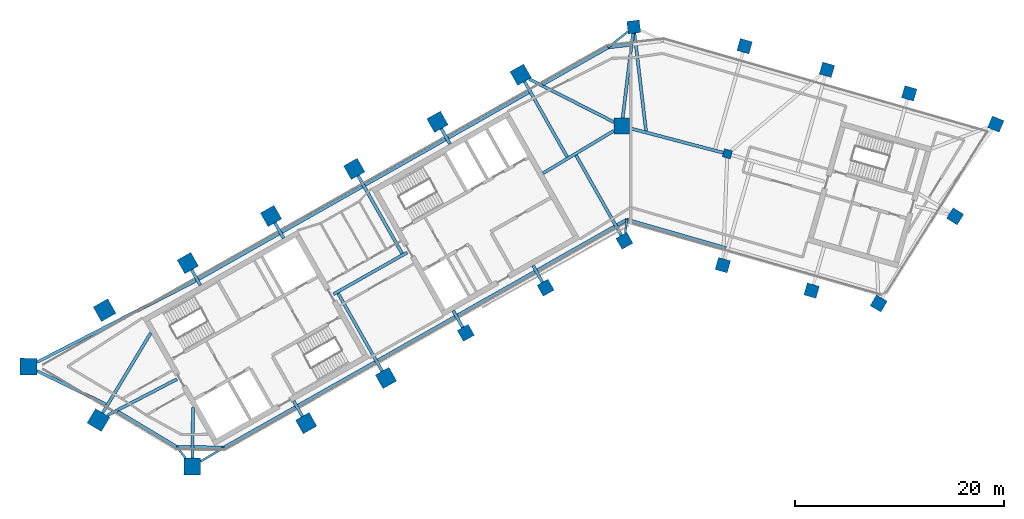
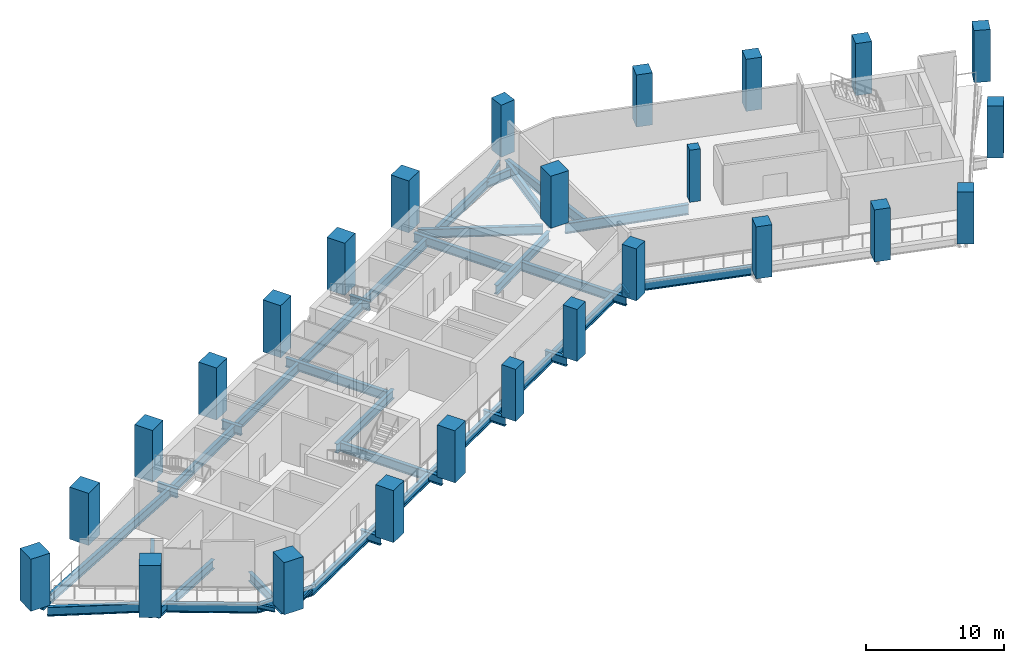
# One storey, part 1 of 8: 41 beams, 25 columns.
"""IFC4 building model written with IfcOpenShell, lengths in metres."""

from ifc_helpers import new_model, si_unit, direction, frame, origin, origin_2d, place, context, subcontext, project, spatial, rectangle, i_section, extrude, material, material_profile, profile_set, type_object, element, save


model = new_model("IFC4")

# Units and contexts
model_context = context("Model", 3, precision=1e-05, world=origin(), true_north=direction((0.0, 1.0)))
body_context = subcontext(model_context, "Body", "Model", "MODEL_VIEW")
ifc_project = project(units=[si_unit("LENGTHUNIT", "METRE"), si_unit("AREAUNIT", "SQUARE_METRE"), si_unit("VOLUMEUNIT", "CUBIC_METRE"), si_unit("PLANEANGLEUNIT", "RADIAN"), si_unit("MASSUNIT", "GRAM", prefix="KILO")], contexts=[model_context])

# Site, building, storey
site_placement = place(None, origin())
site = spatial("IfcSite", under=ifc_project, at=site_placement, CompositionType="ELEMENT")
building_placement = place(site_placement, origin())
building = spatial("IfcBuilding", under=site, at=building_placement, Name="Binnacle Exchange Tower", CompositionType="ELEMENT")
storey_placement = place(building_placement, frame((0.0, 0.0, 202.89990234375)))
storey = spatial("IfcBuildingStorey", under=building, at=storey_placement, Name="L44", CompositionType="ELEMENT", Elevation=202.89990234375)

# Columns
ifc_material_1 = material(Name="Concrete C60/75", Category="concrete")
ifc_material_profile_1 = material_profile(ifc_material_1, rectangle(XDim=0.800048828125, YDim=0.800048828125, at=origin_2d()), Name="Column 800x800 C60/75")
ifc_profile_set_1 = profile_set([ifc_material_profile_1], Name="Concrete C60/75")
column_type_1 = type_object("IfcColumnType", Name="Column 800x800 C60/75", PredefinedType="COLUMN", material=ifc_profile_set_1)
column_placement = place(storey_placement, frame((9.240966796875, 57.35009765625, 0.0), z_axis=(0.0, 0.0, 1.0), x_axis=(0.961261695938, -0.275637355817, 0.0)))
element("IfcColumn", 1, at=column_placement, inside=storey, type_object=column_type_1, Name="S:COL:C19:L44", PredefinedType="COLUMN", context=body_context, shape_type="SweptSolid", body=[
    extrude(rectangle(XDim=0.800048828125, YDim=0.800048828125, at=origin_2d()), origin(), (0.0, 0.0, 1.0), 4.60009765625),
])
ifc_material_2 = material(Name="Concrete C70/85", Category="concrete")
ifc_material_profile_2 = material_profile(ifc_material_2, rectangle(XDim=1.199951171875, YDim=1.199951171875, at=origin_2d()), Name="Mega column 1200x1200 C70/85")
ifc_profile_set_2 = profile_set([ifc_material_profile_2], Name="Concrete C70/85")
column_type_2 = type_object("IfcColumnType", Name="Mega column 1200x1200 C70/85", PredefinedType="COLUMN", material=ifc_profile_set_2)
for number, where, z_axis, x_axis, name in (
    (2, (26.602783203125, 63.12353515625, 0.0), (0.0, 0.0, 1.0), (-0.961261695938, 0.275637355817, 0.0), "S:COL:MC52:L44"),
    (3, (18.746337890625, 65.376220703125, 0.0), (0.0, 0.0, 1.0), (-0.961261695938, 0.275637355817, 0.0), "S:COL:MC50:L44"),
    (4, (10.889892578125, 67.62890625, 0.0), (0.0, 0.0, 1.0), (-0.961261695938, 0.275637355817, 0.0), "S:COL:MC48:L44"),
    (5, (0.300048828125, 69.464111328125, 0.0), (0.0, 0.0, 1.0), (-0.993068456955, -0.117537397458, 0.0), "S:COL:MC47:L44"),
    (6, (-15.736328125, 40.257080078125, 0.0), (0.0, 0.0, 1.0), (0.87035569594, 0.492423560103, 0.0), "S:COL:MC24:L44"),
    (7, (-8.116943359375, 44.568115234375, 0.0), (0.0, 0.0, 1.0), (0.87035569594, 0.492423560103, 0.0), "S:COL:MC35:L44"),
    (8, (-0.5908203125, 49.04443359375, 0.0), (0.0, 0.0, 1.0), (0.87035569594, 0.492423560103, 0.0), "S:COL:MC46:L44"),
    (9, (8.8095703125, 46.722412109375, 0.0), (0.0, 0.0, 1.0), (0.961261695938, -0.275637355817, 0.0), "S:COL:MC49:L44"),
    (10, (17.2880859375, 44.291015625, 0.0), (0.0, 0.0, 1.0), (0.961261695938, -0.275637355817, 0.0), "S:COL:MC51:L44"),
    (11, (23.690185546875, 43.062744140625, 0.0), (0.0, 0.0, 1.0), (-0.86532642813, 0.501208711795, 0.0), "S:COL:MC53:L44"),
    (12, (30.989501953125, 51.38623046875, 0.0), (0.0, 0.0, 1.0), (0.529919264233, 0.848048096156, 0.0), "S:COL:MC55:L44"),
    (13, (34.870361328125, 60.18701171875, 0.0), (0.0, 0.0, 1.0), (-0.922814001807, 0.385245789164, 0.0), "S:COL:MC54:L44"),
):
    element("IfcColumn", number, at=place(storey_placement, frame(where, z_axis=z_axis, x_axis=x_axis)), inside=storey, type_object=column_type_2, Name=name, PredefinedType="COLUMN", context=body_context, shape_type="SweptSolid", body=[
        extrude(rectangle(XDim=1.199951171875, YDim=1.199951171875, at=origin_2d()), origin(), (0.0, 0.0, 1.0), 4.60009765625),
    ])
ifc_material_profile_3 = material_profile(ifc_material_2, rectangle(XDim=1.5, YDim=1.5, at=origin_2d()), Name="Mega column 1500x1500 C70/85")
ifc_profile_set_3 = profile_set([ifc_material_profile_3], Name="Concrete C70/85")
column_type_3 = type_object("IfcColumnType", Name="Mega column 1500x1500 C70/85", PredefinedType="COLUMN", material=ifc_profile_set_3)
for number, where, z_axis, x_axis, name in (
    (14, (-10.4951171875, 64.901611328125, 0.0), (0.0, 0.0, 1.0), (-0.87035569594, -0.492423560103, 0.0), "S:COL:MC38:L44"),
    (15, (-18.44140625, 60.406005859375, 0.0), (0.0, 0.0, 1.0), (-0.87035569594, -0.492423560103, 0.0), "S:COL:MC29:L44"),
    (16, (-26.3876953125, 55.91015625, 0.0), (0.0, 0.0, 1.0), (-0.87035569594, -0.492423560103, 0.0), "S:COL:MC21:L44"),
    (17, (-34.333740234375, 51.414306640625, 0.0), (0.0, 0.0, 1.0), (-0.87035569594, -0.492423560103, 0.0), "S:COL:MC13:L44"),
    (18, (-42.280029296875, 46.918701171875, 0.0), (0.0, 0.0, 1.0), (-0.87035569594, -0.492423560103, 0.0), "S:COL:MC08:L44"),
    (19, (-30.9755859375, 31.63525390625, 0.0), (0.0, 0.0, 1.0), (0.87035569594, 0.492423560103, 0.0), "S:COL:MC07:L44"),
    (20, (-23.35595703125, 35.9462890625, 0.0), (0.0, 0.0, 1.0), (0.87035569594, 0.492423560103, 0.0), "S:COL:MC16:L44"),
    (21, (-0.85009765625, 60.0, 0.0), (0.0, 0.0, 1.0), (0.0, 1.0, 0.0), "S:COL:MC45:L44"),
):
    element("IfcColumn", number, at=place(storey_placement, frame(where, z_axis=z_axis, x_axis=x_axis)), inside=storey, type_object=column_type_3, Name=name, PredefinedType="COLUMN", context=body_context, shape_type="SweptSolid", body=[
        extrude(rectangle(XDim=1.5, YDim=1.5, at=origin_2d()), origin(), (0.0, 0.0, 1.0), 4.60009765625),
    ])
ifc_material_profile_4 = material_profile(ifc_material_2, rectangle(XDim=1.60009765625, YDim=1.60009765625, at=origin_2d()), Name="Mega column 1600x1600 C70/85")
ifc_profile_set_4 = profile_set([ifc_material_profile_4], Name="Concrete C70/85")
column_type_4 = type_object("IfcColumnType", Name="Mega column 1600x1600 C70/85", PredefinedType="COLUMN", material=ifc_profile_set_4)
for number, where, z_axis, x_axis, name in (
    (22, (-50.226318359375, 42.4228515625, 0.0), (0.0, 0.0, 1.0), (-0.87035569594, -0.492423560103, 0.0), "S:COL:MC04:L44"),
    (23, (-57.492919921875, 37.02734375, 0.0), (0.0, 0.0, 1.0), (-0.013089595571, -0.999914327574, 0.0), "S:COL:MC02:L44"),
    (24, (-50.81201171875, 31.930908203125, 0.0), (0.0, 0.0, 1.0), (0.857167300702, -0.51503807491, 0.0), "S:COL:MC01:L44"),
    (25, (-41.857666015625, 27.494873046875, 0.0), (0.0, 0.0, 1.0), (0.999914327574, -0.013089595571, 0.0), "S:COL:MC03:L44"),
):
    element("IfcColumn", number, at=place(storey_placement, frame(where, z_axis=z_axis, x_axis=x_axis)), inside=storey, type_object=column_type_4, Name=name, PredefinedType="COLUMN", context=body_context, shape_type="SweptSolid", body=[
        extrude(rectangle(XDim=1.60009765625, YDim=1.60009765625, at=origin_2d()), origin(), (0.0, 0.0, 1.0), 4.60009765625),
    ])

# Beams
ifc_material_3 = material(Name="Steel S355 (SHN355)", Category="steel")
ifc_material_profile_5 = material_profile(ifc_material_3, i_section(OverallWidth=0.300048828125, OverallDepth=0.800048828125, WebThickness=0.013916015625, FlangeThickness=0.02587890625, FilletRadius=0.028076171875, at=origin_2d()), Name="H 800x300x14x26")
ifc_profile_set_5 = profile_set([ifc_material_profile_5], Name="Steel S355 (SHN355)")
beam_type_1 = type_object("IfcBeamType", Name="Edge girder H 800x300x14x26 Steel S355 (SHN355)", PredefinedType="SPANDREL", material=ifc_profile_set_5)
beam_1_placement = place(storey_placement, frame((-56.6875, 37.44140625, -0.75), z_axis=(0.889438494782, 0.457054880731, 0.0), x_axis=(-0.457054880731, 0.889438494782, 0.0)))
element("IfcBeam", 26, at=beam_1_placement, inside=storey, type_object=beam_type_1, Name="S:BM:edge:L44:011", PredefinedType="SPANDREL", context=body_context, shape_type="SweptSolid", body=[
    extrude(i_section(OverallWidth=0.300048828125, OverallDepth=0.800048828125, WebThickness=0.013916015625, FlangeThickness=0.02587890625, FilletRadius=0.028076171875, at=origin_2d()), origin(), (0.0, 0.0, 1.0), 17.070068359375),
])
beam_2_placement = place(storey_placement, frame((-50.091064453125, 33.422607421875, -0.75), z_axis=(-0.899055932064, 0.437833793832, 0.0), x_axis=(-0.437833793832, -0.899055932064, 0.0)))
element("IfcBeam", 27, at=beam_2_placement, inside=storey, type_object=beam_type_1, Name="S:BM:edge:L44:012", PredefinedType="SPANDREL", context=body_context, shape_type="SweptSolid", body=[
    extrude(i_section(OverallWidth=0.300048828125, OverallDepth=0.800048828125, WebThickness=0.013916015625, FlangeThickness=0.02587890625, FilletRadius=0.028076171875, at=origin_2d()), origin(), (0.0, 0.0, 1.0), 7.3486328125),
])
beam_3_placement = place(storey_placement, frame((-43.336669921875, 29.364013671875, -0.75), z_axis=(-0.857161532576, 0.515047674563, 0.0), x_axis=(-0.515047674563, -0.857161532576, 0.0)))
element("IfcBeam", 28, at=beam_3_placement, inside=storey, type_object=beam_type_1, Name="S:BM:edge:L44:013", PredefinedType="SPANDREL", context=body_context, shape_type="SweptSolid", body=[
    extrude(i_section(OverallWidth=0.300048828125, OverallDepth=0.800048828125, WebThickness=0.013916015625, FlangeThickness=0.02587890625, FilletRadius=0.028076171875, at=origin_2d()), origin(), (0.0, 0.0, 1.0), 6.56884765625),
])
beam_4_placement = place(storey_placement, frame((-41.983154296875, 29.346435546875, -0.75), z_axis=(-0.999915679413, 0.012985917914, 0.0), x_axis=(-0.012985917914, -0.999915679413, 0.0)))
element("IfcBeam", 29, at=beam_4_placement, inside=storey, type_object=beam_type_1, Name="S:BM:edge:L44:014", PredefinedType="SPANDREL", context=body_context, shape_type="SweptSolid", body=[
    extrude(i_section(OverallWidth=0.300048828125, OverallDepth=0.800048828125, WebThickness=0.013916015625, FlangeThickness=0.02587890625, FilletRadius=0.028076171875, at=origin_2d()), origin(), (0.0, 0.0, 1.0), 1.353515625),
])
beam_5_placement = place(storey_placement, frame((-41.243408203125, 45.39111328125, -0.75), z_axis=(0.870360382815, 0.492415275988, 0.0), x_axis=(-0.492415275988, 0.870360382815, 0.0)))
element("IfcBeam", 30, at=beam_5_placement, inside=storey, type_object=beam_type_1, Name="S:BM:edge:L44:015", PredefinedType="SPANDREL", context=body_context, shape_type="SweptSolid", body=[
    extrude(i_section(OverallWidth=0.300048828125, OverallDepth=0.800048828125, WebThickness=0.013916015625, FlangeThickness=0.02587890625, FilletRadius=0.028076171875, at=origin_2d()), origin(), (0.0, 0.0, 1.0), 8.829833984375),
])
beam_6_placement = place(storey_placement, frame((-38.830810546875, 29.30517578125, -0.75), z_axis=(-0.999914273731, 0.013093707967, 0.0), x_axis=(-0.013093707967, -0.999914273731, 0.0)))
element("IfcBeam", 31, at=beam_6_placement, inside=storey, type_object=beam_type_1, Name="S:BM:edge:L44:016", PredefinedType="SPANDREL", context=body_context, shape_type="SweptSolid", body=[
    extrude(i_section(OverallWidth=0.300048828125, OverallDepth=0.800048828125, WebThickness=0.013916015625, FlangeThickness=0.02587890625, FilletRadius=0.028076171875, at=origin_2d()), origin(), (0.0, 0.0, 1.0), 2.852783203125),
])
beam_7_placement = place(storey_placement, frame((-33.297119140625, 49.88671875, -0.75), z_axis=(0.870355237169, 0.492424370977, 0.0), x_axis=(-0.492424370977, 0.870355237169, 0.0)))
element("IfcBeam", 32, at=beam_7_placement, inside=storey, type_object=beam_type_1, Name="S:BM:edge:L44:017", PredefinedType="SPANDREL", context=body_context, shape_type="SweptSolid", body=[
    extrude(i_section(OverallWidth=0.300048828125, OverallDepth=0.800048828125, WebThickness=0.013916015625, FlangeThickness=0.02587890625, FilletRadius=0.028076171875, at=origin_2d()), origin(), (0.0, 0.0, 1.0), 8.830078125),
])
beam_8_placement = place(storey_placement, frame((-32.01220703125, 33.162841796875, -0.75), z_axis=(-0.870361945489, -0.492412513899, 0.0), x_axis=(0.492412513899, -0.870361945489, 0.0)))
element("IfcBeam", 33, at=beam_8_placement, inside=storey, type_object=beam_type_1, Name="S:BM:edge:L44:018", PredefinedType="SPANDREL", context=body_context, shape_type="SweptSolid", body=[
    extrude(i_section(OverallWidth=0.300048828125, OverallDepth=0.800048828125, WebThickness=0.013916015625, FlangeThickness=0.02587890625, FilletRadius=0.028076171875, at=origin_2d()), origin(), (0.0, 0.0, 1.0), 7.834228515625),
])
beam_9_placement = place(storey_placement, frame((-25.350830078125, 54.3828125, -0.75), z_axis=(0.870367086897, 0.492403426111, 0.0), x_axis=(-0.492403426111, 0.870367086897, 0.0)))
element("IfcBeam", 34, at=beam_9_placement, inside=storey, type_object=beam_type_1, Name="S:BM:edge:L44:019", PredefinedType="SPANDREL", context=body_context, shape_type="SweptSolid", body=[
    extrude(i_section(OverallWidth=0.300048828125, OverallDepth=0.800048828125, WebThickness=0.013916015625, FlangeThickness=0.02587890625, FilletRadius=0.028076171875, at=origin_2d()), origin(), (0.0, 0.0, 1.0), 8.829833984375),
])
beam_10_placement = place(storey_placement, frame((-24.39208984375, 37.47412109375, -0.75), z_axis=(-0.870356795496, -0.49242161664, 0.0), x_axis=(0.49242161664, -0.870356795496, 0.0)))
element("IfcBeam", 35, at=beam_10_placement, inside=storey, type_object=beam_type_1, Name="S:BM:edge:L44:020", PredefinedType="SPANDREL", context=body_context, shape_type="SweptSolid", body=[
    extrude(i_section(OverallWidth=0.300048828125, OverallDepth=0.800048828125, WebThickness=0.013916015625, FlangeThickness=0.02587890625, FilletRadius=0.028076171875, at=origin_2d()), origin(), (0.0, 0.0, 1.0), 8.455322265625),
])
beam_11_placement = place(storey_placement, frame((-17.404541015625, 58.87841796875, -0.75), z_axis=(0.870355237169, 0.492424370977, 0.0), x_axis=(-0.492424370977, 0.870355237169, 0.0)))
element("IfcBeam", 36, at=beam_11_placement, inside=storey, type_object=beam_type_1, Name="S:BM:edge:L44:021", PredefinedType="SPANDREL", context=body_context, shape_type="SweptSolid", body=[
    extrude(i_section(OverallWidth=0.300048828125, OverallDepth=0.800048828125, WebThickness=0.013916015625, FlangeThickness=0.02587890625, FilletRadius=0.028076171875, at=origin_2d()), origin(), (0.0, 0.0, 1.0), 8.830078125),
])
beam_12_placement = place(storey_placement, frame((-16.773193359375, 41.784912109375, -0.75), z_axis=(-0.870346536716, -0.492439748626, 0.0), x_axis=(0.492439748626, -0.870346536716, 0.0)))
element("IfcBeam", 37, at=beam_12_placement, inside=storey, type_object=beam_type_1, Name="S:BM:edge:L44:022", PredefinedType="SPANDREL", context=body_context, shape_type="SweptSolid", body=[
    extrude(i_section(OverallWidth=0.300048828125, OverallDepth=0.800048828125, WebThickness=0.013916015625, FlangeThickness=0.02587890625, FilletRadius=0.028076171875, at=origin_2d()), origin(), (0.0, 0.0, 1.0), 8.4541015625),
])
beam_13_placement = place(storey_placement, frame((-9.153076171875, 46.095947265625, -0.75), z_axis=(-0.870362169255, -0.492412118383, 0.0), x_axis=(0.492412118383, -0.870362169255, 0.0)))
element("IfcBeam", 38, at=beam_13_placement, inside=storey, type_object=beam_type_1, Name="S:BM:edge:L44:023", PredefinedType="SPANDREL", context=body_context, shape_type="SweptSolid", body=[
    extrude(i_section(OverallWidth=0.300048828125, OverallDepth=0.800048828125, WebThickness=0.013916015625, FlangeThickness=0.02587890625, FilletRadius=0.028076171875, at=origin_2d()), origin(), (0.0, 0.0, 1.0), 8.455078125),
])
beam_14_placement = place(storey_placement, frame((-8.396240234375, 63.97509765625, -0.75), z_axis=(0.870355215892, 0.492424408585, 0.0), x_axis=(-0.492424408585, 0.870355215892, 0.0)))
element("IfcBeam", 39, at=beam_14_placement, inside=storey, type_object=beam_type_1, Name="S:BM:edge:L44:024", PredefinedType="SPANDREL", context=body_context, shape_type="SweptSolid", body=[
    extrude(i_section(OverallWidth=0.300048828125, OverallDepth=0.800048828125, WebThickness=0.013916015625, FlangeThickness=0.02587890625, FilletRadius=0.028076171875, at=origin_2d()), origin(), (0.0, 0.0, 1.0), 7.18603515625),
])
beam_15_placement = place(storey_placement, frame((-2.141845703125, 67.513671875, -0.75), z_axis=(0.99307431808, 0.117487866483, 0.0), x_axis=(-0.117487866483, 0.99307431808, 0.0)))
element("IfcBeam", 40, at=beam_15_placement, inside=storey, type_object=beam_type_1, Name="S:BM:edge:L44:025", PredefinedType="SPANDREL", context=body_context, shape_type="SweptSolid", body=[
    extrude(i_section(OverallWidth=0.300048828125, OverallDepth=0.800048828125, WebThickness=0.013916015625, FlangeThickness=0.02587890625, FilletRadius=0.028076171875, at=origin_2d()), origin(), (0.0, 0.0, 1.0), 2.10302734375),
])
beam_16_placement = place(storey_placement, frame((-1.5341796875, 50.406494140625, -0.75), z_axis=(-0.870358913836, -0.492417872447, 0.0), x_axis=(0.492417872447, -0.870358913836, 0.0)))
element("IfcBeam", 41, at=beam_16_placement, inside=storey, type_object=beam_type_1, Name="S:BM:edge:L44:026", PredefinedType="SPANDREL", context=body_context, shape_type="SweptSolid", body=[
    extrude(i_section(OverallWidth=0.300048828125, OverallDepth=0.800048828125, WebThickness=0.013916015625, FlangeThickness=0.02587890625, FilletRadius=0.028076171875, at=origin_2d()), origin(), (0.0, 0.0, 1.0), 8.453857421875),
])
beam_17_placement = place(storey_placement, frame((-0.36328125, 51.069091796875, -0.75), z_axis=(-0.870262522534, -0.492588207199, 0.0), x_axis=(0.492588207199, -0.870262522534, 0.0)))
element("IfcBeam", 42, at=beam_17_placement, inside=storey, type_object=beam_type_1, Name="S:BM:edge:L44:027", PredefinedType="SPANDREL", context=body_context, shape_type="SweptSolid", body=[
    extrude(i_section(OverallWidth=0.300048828125, OverallDepth=0.800048828125, WebThickness=0.013916015625, FlangeThickness=0.02587890625, FilletRadius=0.028076171875, at=origin_2d()), origin(), (0.0, 0.0, 1.0), 1.045166015625),
])
beam_18_placement = place(storey_placement, frame((9.120361328125, 48.349609375, -0.75), z_axis=(-0.961259233925, 0.275645941735, 0.0), x_axis=(-0.275645941735, -0.961259233925, 0.0)))
element("IfcBeam", 43, at=beam_18_placement, inside=storey, type_object=beam_type_1, Name="S:BM:edge:L44:030", PredefinedType="SPANDREL", context=body_context, shape_type="SweptSolid", body=[
    extrude(i_section(OverallWidth=0.300048828125, OverallDepth=0.800048828125, WebThickness=0.013916015625, FlangeThickness=0.02587890625, FilletRadius=0.028076171875, at=origin_2d()), origin(), (0.0, 0.0, 1.0), 9.865966796875),
])
ifc_material_profile_6 = material_profile(ifc_material_3, i_section(OverallWidth=0.199951171875, OverallDepth=0.39990234375, WebThickness=0.008056640625, FlangeThickness=0.012939453125, FilletRadius=0.01611328125, at=origin_2d()), Name="H 400x200x8x13")
ifc_profile_set_6 = profile_set([ifc_material_profile_6], Name="Steel S355 (SHN355)")
beam_type_2 = type_object("IfcBeamType", Name="Floor beam H 400x200x8x13 Steel S355 (SHN355)", PredefinedType="BEAM", material=ifc_profile_set_6)
beam_19_placement = place(storey_placement, frame((-42.497314453125, 28.30322265625, -0.5498046875), z_axis=(-0.620504141564, 0.784203169021, 0.0), x_axis=(-0.784203169021, -0.620504141564, 0.0)))
element("IfcBeam", 44, at=beam_19_placement, inside=storey, type_object=beam_type_2, Name="S:BM:cross:L44:039", PredefinedType="BEAM", context=body_context, shape_type="SweptSolid", body=[
    extrude(i_section(OverallWidth=0.199951171875, OverallDepth=0.39990234375, WebThickness=0.008056640625, FlangeThickness=0.012939453125, FilletRadius=0.01611328125, at=origin_2d()), origin(), (0.0, 0.0, 1.0), 1.352783203125),
])
beam_20_placement = place(storey_placement, frame((-41.05126953125, 27.97705078125, -0.5498046875), z_axis=(0.858199810887, 0.513315774736, 0.0), x_axis=(-0.513315774736, 0.858199810887, 0.0)))
element("IfcBeam", 45, at=beam_20_placement, inside=storey, type_object=beam_type_2, Name="S:BM:cross:L44:042", PredefinedType="BEAM", context=body_context, shape_type="SweptSolid", body=[
    extrude(i_section(OverallWidth=0.199951171875, OverallDepth=0.39990234375, WebThickness=0.008056640625, FlangeThickness=0.012939453125, FilletRadius=0.01611328125, at=origin_2d()), origin(), (0.0, 0.0, 1.0), 2.58740234375),
])
beam_21_placement = place(storey_placement, frame((-0.508056640625, 49.78076171875, -0.5498046875), z_axis=(0.111671571907, 0.993745168556, 0.0), x_axis=(-0.993745168556, 0.111671571907, 0.0)))
element("IfcBeam", 46, at=beam_21_placement, inside=storey, type_object=beam_type_2, Name="S:BM:cross:L44:052", PredefinedType="BEAM", context=body_context, shape_type="SweptSolid", body=[
    extrude(i_section(OverallWidth=0.199951171875, OverallDepth=0.39990234375, WebThickness=0.008056640625, FlangeThickness=0.012939453125, FilletRadius=0.01611328125, at=origin_2d()), origin(), (0.0, 0.0, 1.0), 1.29638671875),
])
beam_22_placement = place(storey_placement, frame((-0.251953125, 69.023193359375, -0.5498046875), z_axis=(-0.781351103228, -0.624091702785, 0.0), x_axis=(0.624091702785, -0.781351103228, 0.0)))
element("IfcBeam", 47, at=beam_22_placement, inside=storey, type_object=beam_type_2, Name="S:BM:cross:L44:053", PredefinedType="BEAM", context=body_context, shape_type="SweptSolid", body=[
    extrude(i_section(OverallWidth=0.199951171875, OverallDepth=0.39990234375, WebThickness=0.008056640625, FlangeThickness=0.012939453125, FilletRadius=0.01611328125, at=origin_2d()), origin(), (0.0, 0.0, 1.0), 2.418701171875),
])
ifc_material_profile_7 = material_profile(ifc_material_3, i_section(OverallWidth=0.300048828125, OverallDepth=0.800048828125, WebThickness=0.013916015625, FlangeThickness=0.02587890625, FilletRadius=0.028076171875, at=origin_2d()), Name="H 800x300x14x26")
ifc_profile_set_7 = profile_set([ifc_material_profile_7], Name="Steel S355 (SHN355)")
beam_type_3 = type_object("IfcBeamType", Name="Floor beam H 800x300x14x26 Steel S355 (SHN355)", PredefinedType="BEAM", material=ifc_profile_set_7)
beam_23_placement = place(storey_placement, frame((-41.91064453125, 46.265869140625, -0.75), z_axis=(0.49243456751, -0.870349468157, 0.0), x_axis=(0.870349468157, 0.49243456751, 0.0)))
element("IfcBeam", 48, at=beam_23_placement, inside=storey, type_object=beam_type_3, Name="S:BM:cross:L44:040", PredefinedType="BEAM", context=body_context, shape_type="SweptSolid", body=[
    extrude(i_section(OverallWidth=0.300048828125, OverallDepth=0.800048828125, WebThickness=0.013916015625, FlangeThickness=0.02587890625, FilletRadius=0.028076171875, at=origin_2d()), origin(), (0.0, 0.0, 1.0), 1.68408203125),
])
beam_24_placement = place(storey_placement, frame((-41.84716796875, 28.294677734375, -0.75), z_axis=(0.013085908175, 0.999914375838, 0.0), x_axis=(-0.999914375838, 0.013085908175, 0.0)))
element("IfcBeam", 49, at=beam_24_placement, inside=storey, type_object=beam_type_3, Name="S:BM:cross:L44:041", PredefinedType="BEAM", context=body_context, shape_type="SweptSolid", body=[
    extrude(i_section(OverallWidth=0.300048828125, OverallDepth=0.800048828125, WebThickness=0.013916015625, FlangeThickness=0.02587890625, FilletRadius=0.028076171875, at=origin_2d()), origin(), (0.0, 0.0, 1.0), 4.850830078125),
])
beam_25_placement = place(storey_placement, frame((-33.964599609375, 50.76171875, -0.75), z_axis=(0.492482237839, -0.870322495063, 0.0), x_axis=(0.870322495063, 0.492482237839, 0.0)))
element("IfcBeam", 50, at=beam_25_placement, inside=storey, type_object=beam_type_3, Name="S:BM:cross:L44:043", PredefinedType="BEAM", context=body_context, shape_type="SweptSolid", body=[
    extrude(i_section(OverallWidth=0.300048828125, OverallDepth=0.800048828125, WebThickness=0.013916015625, FlangeThickness=0.02587890625, FilletRadius=0.028076171875, at=origin_2d()), origin(), (0.0, 0.0, 1.0), 1.6845703125),
])
for number, where, z_axis, x_axis, name in (
    (51, (-31.344970703125, 32.2880859375, -0.75), (-0.49243456751, 0.870349468157, 0.0), (-0.870349468157, -0.49243456751, 0.0), "S:BM:cross:L44:044"),
    (52, (-18.072021484375, 59.753173828125, -0.75), (0.49243456751, -0.870349468157, 0.0), (0.870349468157, 0.49243456751, 0.0), "S:BM:cross:L44:047"),
):
    element("IfcBeam", number, at=place(storey_placement, frame(where, z_axis=z_axis, x_axis=x_axis)), inside=storey, type_object=beam_type_3, Name=name, PredefinedType="BEAM", context=body_context, shape_type="SweptSolid", body=[
        extrude(i_section(OverallWidth=0.300048828125, OverallDepth=0.800048828125, WebThickness=0.013916015625, FlangeThickness=0.02587890625, FilletRadius=0.028076171875, at=origin_2d()), origin(), (0.0, 0.0, 1.0), 1.68408203125),
    ])
beam_26_placement = place(storey_placement, frame((-16.031982421875, 40.779296875, -0.75), z_axis=(-0.492307212856, 0.870421511781, 0.0), x_axis=(-0.870421511781, -0.492307212856, 0.0)))
element("IfcBeam", 53, at=beam_26_placement, inside=storey, type_object=beam_type_3, Name="S:BM:cross:L44:048", PredefinedType="BEAM", context=body_context, shape_type="SweptSolid", body=[
    extrude(i_section(OverallWidth=0.300048828125, OverallDepth=0.800048828125, WebThickness=0.013916015625, FlangeThickness=0.02587890625, FilletRadius=0.028076171875, at=origin_2d()), origin(), (0.0, 0.0, 1.0), 1.83447265625),
])
beam_27_placement = place(storey_placement, frame((-8.412353515625, 45.09033203125, -0.75), z_axis=(-0.492465079532, 0.87033220407, 0.0), x_axis=(-0.87033220407, -0.492465079532, 0.0)))
element("IfcBeam", 54, at=beam_27_placement, inside=storey, type_object=beam_type_3, Name="S:BM:cross:L44:050", PredefinedType="BEAM", context=body_context, shape_type="SweptSolid", body=[
    extrude(i_section(OverallWidth=0.300048828125, OverallDepth=0.800048828125, WebThickness=0.013916015625, FlangeThickness=0.02587890625, FilletRadius=0.028076171875, at=origin_2d()), origin(), (0.0, 0.0, 1.0), 1.834228515625),
])
ifc_material_profile_8 = material_profile(ifc_material_3, i_section(OverallWidth=0.302001953125, OverallDepth=0.80810546875, WebThickness=0.01611328125, FlangeThickness=0.030029296875, FilletRadius=0.028076171875, at=origin_2d()), Name="H 808x302x16x30")
ifc_profile_set_8 = profile_set([ifc_material_profile_8], Name="Steel S355 (SHN355)")
beam_type_4 = type_object("IfcBeamType", Name="Floor beam H 808x302x16x30 Steel S355 (SHN355)", PredefinedType="BEAM", material=ifc_profile_set_8)
beam_28_placement = place(storey_placement, frame((-50.39990234375, 32.61669921875, -0.75390625), z_axis=(0.515039334983, 0.857166543573, 0.0), x_axis=(-0.857166543573, 0.515039334983, 0.0)))
element("IfcBeam", 55, at=beam_28_placement, inside=storey, type_object=beam_type_4, Name="S:BM:cross:L44:038", PredefinedType="BEAM", context=body_context, shape_type="SweptSolid", body=[
    extrude(i_section(OverallWidth=0.302001953125, OverallDepth=0.80810546875, WebThickness=0.01611328125, FlangeThickness=0.030029296875, FilletRadius=0.028076171875, at=origin_2d()), origin(), (0.0, 0.0, 1.0), 8.9150390625),
])
for number, where, z_axis, x_axis, name in (
    (56, (-26.018310546875, 55.25732421875, -0.75390625), (0.4924220214, -0.870356566495, 0.0), (0.870356566495, 0.4924220214, 0.0), "S:BM:cross:L44:045"),
    (57, (-23.725341796875, 36.59912109375, -0.75390625), (-0.4924220214, 0.870356566495, 0.0), (-0.870356566495, -0.4924220214, 0.0), "S:BM:cross:L44:046"),
):
    element("IfcBeam", number, at=place(storey_placement, frame(where, z_axis=z_axis, x_axis=x_axis)), inside=storey, type_object=beam_type_4, Name=name, PredefinedType="BEAM", context=body_context, shape_type="SweptSolid", body=[
        extrude(i_section(OverallWidth=0.302001953125, OverallDepth=0.80810546875, WebThickness=0.01611328125, FlangeThickness=0.030029296875, FilletRadius=0.028076171875, at=origin_2d()), origin(), (0.0, 0.0, 1.0), 8.5341796875),
    ])
beam_29_placement = place(storey_placement, frame((-10.125732421875, 64.248779296875, -0.75390625), z_axis=(0.492423973828, -0.870355461866, 0.0), x_axis=(0.870355461866, 0.492423973828, 0.0)))
element("IfcBeam", 58, at=beam_29_placement, inside=storey, type_object=beam_type_4, Name="S:BM:cross:L44:049", PredefinedType="BEAM", context=body_context, shape_type="SweptSolid", body=[
    extrude(i_section(OverallWidth=0.302001953125, OverallDepth=0.80810546875, WebThickness=0.01611328125, FlangeThickness=0.030029296875, FilletRadius=0.028076171875, at=origin_2d()), origin(), (0.0, 0.0, 1.0), 8.269287109375),
])
beam_30_placement = place(storey_placement, frame((-0.886474609375, 49.566650390625, -0.75390625), z_axis=(-0.492409068595, 0.870363894682, 0.0), x_axis=(-0.870363894682, -0.492409068595, 0.0)))
element("IfcBeam", 59, at=beam_30_placement, inside=storey, type_object=beam_type_4, Name="S:BM:cross:L44:051", PredefinedType="BEAM", context=body_context, shape_type="SweptSolid", body=[
    extrude(i_section(OverallWidth=0.302001953125, OverallDepth=0.80810546875, WebThickness=0.01611328125, FlangeThickness=0.030029296875, FilletRadius=0.028076171875, at=origin_2d()), origin(), (0.0, 0.0, 1.0), 8.77978515625),
])
ifc_material_profile_9 = material_profile(ifc_material_3, i_section(OverallWidth=0.300048828125, OverallDepth=0.89990234375, WebThickness=0.01611328125, FlangeThickness=0.028076171875, FilletRadius=0.028076171875, at=origin_2d()), Name="H 900x300x16x28")
ifc_profile_set_9 = profile_set([ifc_material_profile_9], Name="Steel S355 (SHN355)")
beam_type_5 = type_object("IfcBeamType", Name="Floor beam H 900x300x16x28 Steel S355 (SHN355)", PredefinedType="BEAM", material=ifc_profile_set_9)
beam_31_placement = place(storey_placement, frame((0.37060546875, 68.868408203125, -0.7998046875), z_axis=(0.117552497625, -0.993066669616, 0.0), x_axis=(0.993066669616, 0.117552497625, 0.0)))
element("IfcBeam", 60, at=beam_31_placement, inside=storey, type_object=beam_type_5, Name="S:BM:cross:L44:054", PredefinedType="BEAM", context=body_context, shape_type="SweptSolid", body=[
    extrude(i_section(OverallWidth=0.300048828125, OverallDepth=0.89990234375, WebThickness=0.01611328125, FlangeThickness=0.028076171875, FilletRadius=0.028076171875, at=origin_2d()), origin(), (0.0, 0.0, 1.0), 9.39990234375),
])
ifc_material_profile_10 = material_profile(ifc_material_3, i_section(OverallWidth=0.300048828125, OverallDepth=0.800048828125, WebThickness=0.013916015625, FlangeThickness=0.02587890625, FilletRadius=0.028076171875, at=origin_2d()), Name="H 800x300x14x26")
ifc_profile_set_10 = profile_set([ifc_material_profile_10], Name="Steel S355 (SHN355)")
beam_type_6 = type_object("IfcBeamType", Name="Spine girder H 800x300x14x26 Steel S355 (SHN355)", PredefinedType="BEAM", material=ifc_profile_set_10)
beam_32_placement = place(storey_placement, frame((-49.979736328125, 32.3642578125, -0.75), z_axis=(0.886978621009, 0.461810486968, 0.0), x_axis=(-0.461810486968, 0.886978621009, 0.0)))
element("IfcBeam", 61, at=beam_32_placement, inside=storey, type_object=beam_type_6, Name="S:BM:spine:L44:001", PredefinedType="BEAM", context=body_context, shape_type="SweptSolid", body=[
    extrude(i_section(OverallWidth=0.300048828125, OverallDepth=0.800048828125, WebThickness=0.013916015625, FlangeThickness=0.02587890625, FilletRadius=0.028076171875, at=origin_2d()), origin(), (0.0, 0.0, 1.0), 7.522216796875),
])
beam_33_placement = place(storey_placement, frame((-1.60009765625, 60.381103515625, -0.75), z_axis=(-0.891476459322, 0.453067017641, 0.0), x_axis=(-0.453067017641, -0.891476459322, 0.0)))
element("IfcBeam", 62, at=beam_33_placement, inside=storey, type_object=beam_type_6, Name="S:BM:spine:L44:004", PredefinedType="BEAM", context=body_context, shape_type="SweptSolid", body=[
    extrude(i_section(OverallWidth=0.300048828125, OverallDepth=0.800048828125, WebThickness=0.013916015625, FlangeThickness=0.02587890625, FilletRadius=0.028076171875, at=origin_2d()), origin(), (0.0, 0.0, 1.0), 9.07763671875),
])
beam_34_placement = place(storey_placement, frame((-0.7587890625, 60.75, -0.75), z_axis=(0.120620829002, 0.992698652971, 0.0), x_axis=(-0.992698652971, 0.120620829002, 0.0)))
element("IfcBeam", 63, at=beam_34_placement, inside=storey, type_object=beam_type_6, Name="S:BM:spine:L44:005", PredefinedType="BEAM", context=body_context, shape_type="SweptSolid", body=[
    extrude(i_section(OverallWidth=0.300048828125, OverallDepth=0.800048828125, WebThickness=0.013916015625, FlangeThickness=0.02587890625, FilletRadius=0.028076171875, at=origin_2d()), origin(), (0.0, 0.0, 1.0), 8.160888671875),
])
ifc_material_profile_11 = material_profile(ifc_material_3, i_section(OverallWidth=0.302001953125, OverallDepth=0.80810546875, WebThickness=0.01611328125, FlangeThickness=0.030029296875, FilletRadius=0.028076171875, at=origin_2d()), Name="H 808x302x16x30")
ifc_profile_set_11 = profile_set([ifc_material_profile_11], Name="Steel S355 (SHN355)")
beam_type_7 = type_object("IfcBeamType", Name="Spine girder H 808x302x16x30 Steel S355 (SHN355)", PredefinedType="BEAM", material=ifc_profile_set_11)
beam_35_placement = place(storey_placement, frame((-28.365478515625, 43.951416015625, -0.75390625), z_axis=(0.870350319004, 0.492433063684, 0.0), x_axis=(-0.492433063684, 0.870350319004, 0.0)))
element("IfcBeam", 64, at=beam_35_placement, inside=storey, type_object=beam_type_7, Name="S:BM:spine:L44:002", PredefinedType="BEAM", context=body_context, shape_type="SweptSolid", body=[
    extrude(i_section(OverallWidth=0.302001953125, OverallDepth=0.80810546875, WebThickness=0.01611328125, FlangeThickness=0.030029296875, FilletRadius=0.028076171875, at=origin_2d()), origin(), (0.0, 0.0, 1.0), 8.0908203125),
])
beam_36_placement = place(storey_placement, frame((-8.36328125, 55.489990234375, -0.75390625), z_axis=(0.857386401747, 0.514673253724, 0.0), x_axis=(-0.514673253724, 0.857386401747, 0.0)))
element("IfcBeam", 65, at=beam_36_placement, inside=storey, type_object=beam_type_7, Name="S:BM:spine:L44:003", PredefinedType="BEAM", context=body_context, shape_type="SweptSolid", body=[
    extrude(i_section(OverallWidth=0.302001953125, OverallDepth=0.80810546875, WebThickness=0.01611328125, FlangeThickness=0.030029296875, FilletRadius=0.028076171875, at=origin_2d()), origin(), (0.0, 0.0, 1.0), 7.88818359375),
])
ifc_material_profile_12 = material_profile(ifc_material_3, i_section(OverallWidth=0.302001953125, OverallDepth=0.912109375, WebThickness=0.01806640625, FlangeThickness=0.033935546875, FilletRadius=0.028076171875, at=origin_2d()), Name="H 912x302x18x34")
ifc_profile_set_12 = profile_set([ifc_material_profile_12], Name="Steel S355 (SHN355)")
beam_type_8 = type_object("IfcBeamType", Name="Spine girder H 912x302x18x34 Steel S355 (SHN355)", PredefinedType="BEAM", material=ifc_profile_set_12)
beam_37_placement = place(storey_placement, frame((-0.10009765625, 59.802978515625, -0.805908203125), z_axis=(0.967214448634, -0.253961041017, 0.0), x_axis=(0.253961041017, 0.967214448634, 0.0)))
element("IfcBeam", 66, at=beam_37_placement, inside=storey, type_object=beam_type_8, Name="S:BM:spine:L44:006", PredefinedType="BEAM", context=body_context, shape_type="SweptSolid", body=[
    extrude(i_section(OverallWidth=0.302001953125, OverallDepth=0.912109375, WebThickness=0.01806640625, FlangeThickness=0.033935546875, FilletRadius=0.028076171875, at=origin_2d()), origin(), (0.0, 0.0, 1.0), 9.257568359375),
])

save(model, "model.ifc")
